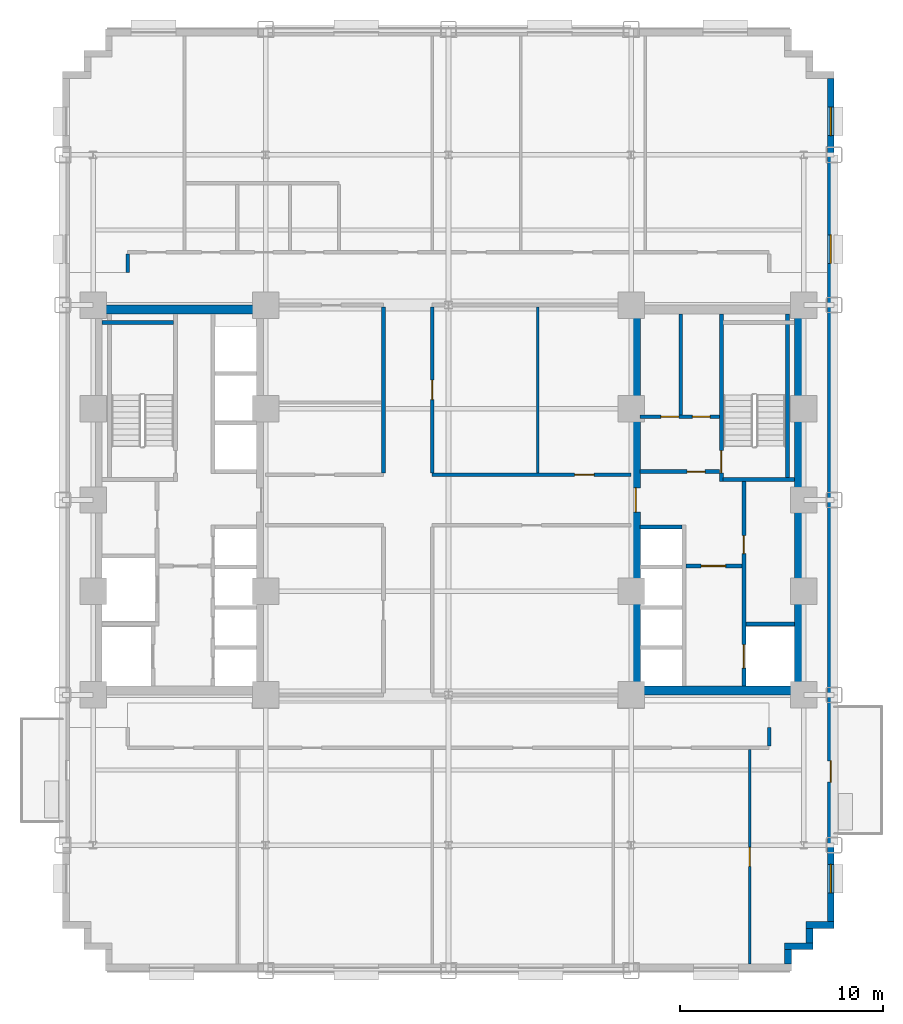
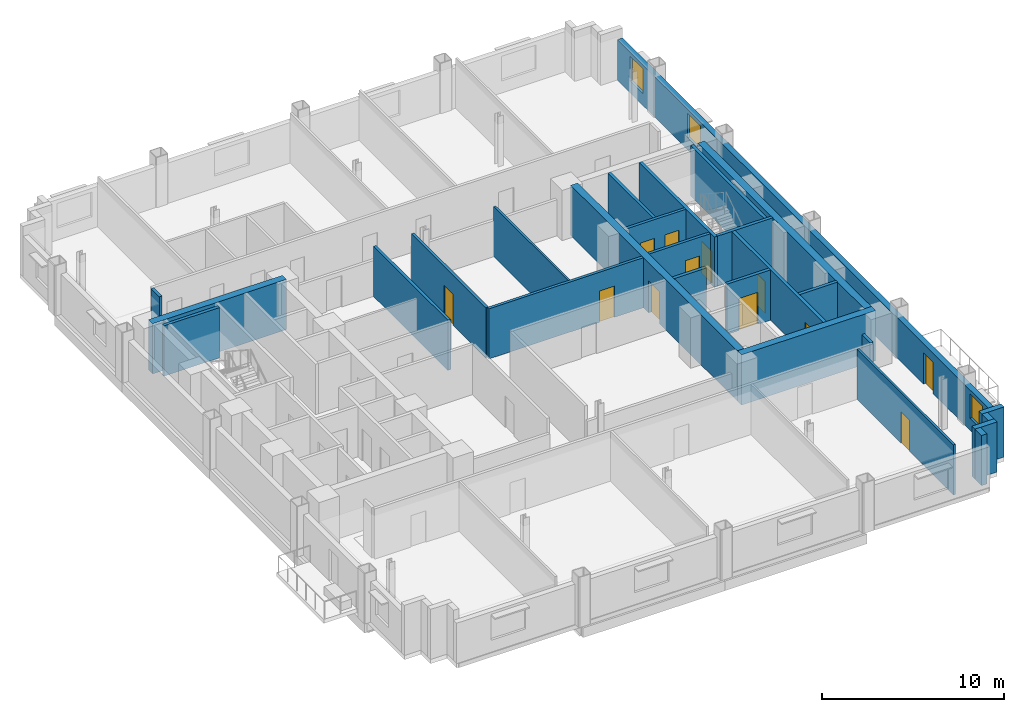
# One storey, part 6 of 12: 27 walls, 12 doors, 3 windows, 15 openings.
"""IFC4 building model written with IfcOpenShell, lengths in metres."""

from ifc_helpers import new_model, si_unit, direction, frame, frame_2d, origin, place, context, subcontext, project, spatial, rectangle, extrude, source, transform, mapped, material, layer, layer_set, type_object, type_shapes, element, fill, save


model = new_model("IFC4")

# Units and contexts
model_context = context("Model", 3, precision=1e-05, world=origin(), true_north=direction((0.0, 1.0)))
body_context = subcontext(model_context, "Body", "Model", "MODEL_VIEW")
ifc_project = project(units=[si_unit("LENGTHUNIT", "METRE"), si_unit("AREAUNIT", "SQUARE_METRE"), si_unit("VOLUMEUNIT", "CUBIC_METRE"), si_unit("PLANEANGLEUNIT", "RADIAN"), si_unit("MASSUNIT", "GRAM", prefix="KILO")], contexts=[model_context])

# Site, building, storey
site_placement = place(None, origin())
site = spatial("IfcSite", under=ifc_project, at=site_placement, CompositionType="ELEMENT")
building_placement = place(site_placement, origin())
building = spatial("IfcBuilding", under=site, at=building_placement, Name="Nuvemarco Arch Tower", CompositionType="ELEMENT")
storey_placement = place(building_placement, frame((0.0, 0.0, 42.199951171875)))
storey = spatial("IfcBuildingStorey", under=building, at=storey_placement, Name="L10", CompositionType="ELEMENT", Elevation=42.199951171875)

# Walls
ifc_material_1 = material(Name="Precast concrete C45/55", Category="concrete")
ifc_layer_1 = layer(ifc_material_1, 0.340087890625, Name="EW-LOW-340")
ifc_layer_set_1 = layer_set([ifc_layer_1], Name="Precast concrete C45/55")
wall_type_1 = type_object("IfcWallType", Name="EW-LOW-340", PredefinedType="STANDARD", material=ifc_layer_set_1)
wall_1_placement = place(storey_placement, frame((16.72998046875, -22.864013671875, 0.0), z_axis=(0.0, 0.0, 1.0), x_axis=(0.0, 1.0, 0.0)))
element("IfcWall", 1, at=wall_1_placement, inside=storey, type_object=wall_type_1, Name="L10 exterior precast facade wall 2", PredefinedType="STANDARD", context=body_context, shape_type="SweptSolid", body=[
    extrude(rectangle(XDim=0.718017578125, YDim=0.340087890625, at=frame_2d((0.35888671875, 0.0))), origin(), (0.0, 0.0, 1.0), 3.360107421875),
])
wall_2_placement = place(storey_placement, frame((16.56005859375, -21.97998046875, 0.0), z_axis=(0.0, 0.0, 1.0), x_axis=(1.0, 0.0, 0.0)))
element("IfcWall", 2, at=wall_2_placement, inside=storey, type_object=wall_type_1, Name="L10 exterior precast facade wall 3", PredefinedType="STANDARD", context=body_context, shape_type="SweptSolid", body=[
    extrude(rectangle(XDim=1.389892578125, YDim=0.340087890625, at=frame_2d((0.69482421875, 0.0))), origin(), (0.0, 0.0, 1.0), 3.360107421875),
])
wall_3_placement = place(storey_placement, frame((17.780029296875, -21.81396484375, 0.0), z_axis=(0.0, 0.0, 1.0), x_axis=(0.0, 1.0, 0.0)))
element("IfcWall", 3, at=wall_3_placement, inside=storey, type_object=wall_type_1, Name="L10 exterior precast facade wall 4", PredefinedType="STANDARD", context=body_context, shape_type="SweptSolid", body=[
    extrude(rectangle(XDim=0.718017578125, YDim=0.340087890625, at=frame_2d((0.35888671875, 0.0))), origin(), (0.0, 0.0, 1.0), 3.360107421875),
])
wall_4_placement = place(storey_placement, frame((17.610107421875, -20.929931640625, 0.0), z_axis=(0.0, 0.0, 1.0), x_axis=(1.0, 0.0, 0.0)))
element("IfcWall", 4, at=wall_4_placement, inside=storey, type_object=wall_type_1, Name="L10 exterior precast facade wall 5", PredefinedType="STANDARD", context=body_context, shape_type="SweptSolid", body=[
    extrude(rectangle(XDim=1.389892578125, YDim=0.340087890625, at=frame_2d((0.69482421875, 0.0))), origin(), (0.0, 0.0, 1.0), 3.360107421875),
])

# Wall, openings, door, windows
wall_5_placement = place(storey_placement, frame((18.830078125, -20.763916015625, 0.0), z_axis=(0.0, 0.0, 1.0), x_axis=(0.0, 1.0, 0.0)))
wall_5 = element("IfcWall", 5, at=wall_5_placement, inside=storey, type_object=wall_type_1, Name="L10 exterior precast facade wall 6", PredefinedType="STANDARD", context=body_context, shape_type="SweptSolid", body=[
    extrude(rectangle(XDim=41.52783203125, YDim=0.340087890625, at=frame_2d((20.763916015625, 0.0))), origin(), (0.0, 0.0, 1.0), 2.705078125),
])
opening_1_placement = place(wall_5_placement, frame((7.9140625, 0.0, 0.0), z_axis=(0.0, 0.0, 1.0), x_axis=(-1.0, 0.0, 0.0)))
opening_1 = element("IfcOpeningElement", 6, at=opening_1_placement, cuts=wall_5, Name="Opening ED-5", PredefinedType="OPENING", context=body_context, shape_type="SweptSolid", body=[
    extrude(rectangle(XDim=1.050048828125, YDim=2.10009765625, at=frame_2d((0.52490234375, 1.050048828125))), frame((0.0, 0.179931640625, 0.0), z_axis=(0.0, -1.0, 0.0), x_axis=(1.0, 0.0, 0.0)), (0.0, 0.0, 1.0), 0.360107421875),
])
opening_2_placement = place(wall_5_placement, frame((1.42041015625, 0.0, 0.800048828125)))
opening_2 = element("IfcOpeningElement", 7, at=opening_2_placement, cuts=wall_5, Name="Opening WN-4", PredefinedType="OPENING", context=body_context, shape_type="SweptSolid", body=[
    extrude(rectangle(XDim=1.39990234375, YDim=1.64990234375, at=frame_2d((0.699951171875, 0.824951171875))), frame((0.0, 0.179931640625, 0.0), z_axis=(0.0, -1.0, 0.0), x_axis=(1.0, 0.0, 0.0)), (0.0, 0.0, 1.0), 0.360107421875),
])
opening_3_placement = place(wall_5_placement, frame((32.41650390625, 0.0, 0.800048828125)))
opening_3 = element("IfcOpeningElement", 8, at=opening_3_placement, cuts=wall_5, Name="Opening WN-4", PredefinedType="OPENING", context=body_context, shape_type="SweptSolid", body=[
    extrude(rectangle(XDim=1.39990234375, YDim=1.64990234375, at=frame_2d((0.699951171875, 0.824951171875))), frame((0.0, 0.179931640625, 0.0), z_axis=(0.0, -1.0, 0.0), x_axis=(1.0, 0.0, 0.0)), (0.0, 0.0, 1.0), 0.360107421875),
])
opening_4_placement = place(wall_5_placement, frame((38.70751953125, 0.0, 0.800048828125)))
opening_4 = element("IfcOpeningElement", 9, at=opening_4_placement, cuts=wall_5, Name="Opening WN-4", PredefinedType="OPENING", context=body_context, shape_type="SweptSolid", body=[
    extrude(rectangle(XDim=1.39990234375, YDim=1.64990234375, at=frame_2d((0.699951171875, 0.824951171875))), frame((0.0, 0.179931640625, 0.0), z_axis=(0.0, -1.0, 0.0), x_axis=(1.0, 0.0, 0.0)), (0.0, 0.0, 1.0), 0.360107421875),
])
ifc_material_2 = material(Name="Anodised bronze and laminated glass", Category="glass")
door_type_1 = type_object("IfcDoorType", Name="DR-EXT-TERR", OperationType="NOTDEFINED", PredefinedType="DOOR", material=ifc_material_2)
shared_shape_1 = source(origin(), body_context, "Body", "SweptSolid", [
    extrude(rectangle(XDim=1.050048828125, YDim=2.10009765625, at=frame_2d((0.52490234375, 1.050048828125))), frame((0.0, 0.02490234375, 0.0), z_axis=(0.0, -1.0, 0.0), x_axis=(1.0, 0.0, 0.0)), (0.0, 0.0, 1.0), 0.050048828125),
])
type_shapes(door_type_1, [shared_shape_1])
door_1_placement = place(opening_1_placement, origin())
door_1 = element("IfcDoor", 10, at=door_1_placement, inside=storey, type_object=door_type_1, Name="L10 spiral terrace access door", OperationType="SINGLE_SWING_RIGHT", OverallHeight=2.10009765625, OverallWidth=1.050048828125, PredefinedType="DOOR", context=body_context, shape_type="MappedRepresentation", body=[
    mapped(shared_shape_1, transform((0.0, 0.0, 0.0), scale=1.0)),
])
fill(opening_1, door_1)
ifc_material_3 = material(Name="Insulated solar-control glass", Category="glass")
window_type = type_object("IfcWindowType", Name="WN-LOW-1400x1650", PartitioningType="SINGLE_PANEL", PredefinedType="WINDOW", material=ifc_material_3)
shared_shape_2 = source(origin(), body_context, "Body", "SweptSolid", [
    extrude(rectangle(XDim=1.39990234375, YDim=1.64990234375, at=frame_2d((0.699951171875, 0.824951171875))), frame((0.0, 0.030029296875, 0.0), z_axis=(0.0, -1.0, 0.0), x_axis=(1.0, 0.0, 0.0)), (0.0, 0.0, 1.0), 0.06005859375),
])
type_shapes(window_type, [shared_shape_2])
window_1_placement = place(opening_2_placement, origin())
window_1 = element("IfcWindow", 11, at=window_1_placement, inside=storey, type_object=window_type, Name="L10 punched facade window 1", OverallHeight=1.64990234375, OverallWidth=1.39990234375, PartitioningType="SINGLE_PANEL", PredefinedType="WINDOW", context=body_context, shape_type="MappedRepresentation", body=[
    mapped(shared_shape_2, transform((0.0, 0.0, 0.0), scale=1.0)),
])
fill(opening_2, window_1)
window_2_placement = place(opening_3_placement, origin())
window_2 = element("IfcWindow", 12, at=window_2_placement, inside=storey, type_object=window_type, Name="L10 punched facade window 7", OverallHeight=1.64990234375, OverallWidth=1.39990234375, PartitioningType="SINGLE_PANEL", PredefinedType="WINDOW", context=body_context, shape_type="MappedRepresentation", body=[
    mapped(shared_shape_2, transform((0.0, 0.0, 0.0), scale=1.0)),
])
fill(opening_3, window_2)
window_3_placement = place(opening_4_placement, origin())
window_3 = element("IfcWindow", 13, at=window_3_placement, inside=storey, type_object=window_type, Name="L10 punched facade window 8", OverallHeight=1.64990234375, OverallWidth=1.39990234375, PartitioningType="SINGLE_PANEL", PredefinedType="WINDOW", context=body_context, shape_type="MappedRepresentation", body=[
    mapped(shared_shape_2, transform((0.0, 0.0, 0.0), scale=1.0)),
])
fill(opening_4, window_3)

# Walls
ifc_material_4 = material(Name="Concrete C60/75", Category="concrete")
ifc_layer_2 = layer(ifc_material_4, 0.449951171875, Name="WL-CORE-450")
ifc_layer_set_2 = layer_set([ifc_layer_2], Name="Concrete C60/75")
wall_type_2 = type_object("IfcWallType", Name="WL-CORE-450", PredefinedType="SHEAR", material=ifc_layer_set_2)
for number, where, z_axis, x_axis, name in (
    (14, (-17.5, 9.375, 0.0), (0.0, 0.0, 1.0), (1.0, 0.0, 0.0), "L10 W-core shear wall N"),
    (15, (9.0, -9.375, 0.0), (0.0, 0.0, 1.0), (1.0, 0.0, 0.0), "L10 E-core shear wall S"),
):
    element("IfcWall", number, at=place(storey_placement, frame(where, z_axis=z_axis, x_axis=x_axis)), inside=storey, type_object=wall_type_2, Name=name, PredefinedType="SHEAR", context=body_context, shape_type="SweptSolid", body=[
        extrude(rectangle(XDim=8.5, YDim=0.449951171875, at=frame_2d((4.25, 0.0))), origin(), (0.0, 0.0, 1.0), 3.3701171875),
    ])

# Wall, opening, door
wall_6_placement = place(storey_placement, frame((9.22509765625, -9.155029296875, 0.0), z_axis=(0.0, 0.0, 1.0), x_axis=(0.0, 1.0, 0.0)))
wall_6 = element("IfcWall", 16, at=wall_6_placement, inside=storey, type_object=wall_type_2, Name="L10 E-core shear wall W", PredefinedType="SHEAR", context=body_context, shape_type="SweptSolid", body=[
    extrude(rectangle(XDim=18.31005859375, YDim=0.449951171875, at=frame_2d((9.155029296875, 0.0))), origin(), (0.0, 0.0, 1.0), 3.3701171875),
])
opening_5_placement = place(wall_6_placement, frame((8.554931640625, 0.0, 0.0)))
opening_5 = element("IfcOpeningElement", 17, at=opening_5_placement, cuts=wall_6, Name="Opening FD-2", PredefinedType="OPENING", context=body_context, shape_type="SweptSolid", body=[
    extrude(rectangle(XDim=1.199951171875, YDim=2.14990234375, at=frame_2d((0.60009765625, 1.074951171875))), frame((0.0, 0.23486328125, 0.0), z_axis=(0.0, -1.0, 0.0), x_axis=(1.0, 0.0, 0.0)), (0.0, 0.0, 1.0), 0.469970703125),
])
ifc_material_5 = material(Name="Anodised steel fire door", Category="steel")
door_type_2 = type_object("IfcDoorType", Name="DR-FFLOB-FD", OperationType="NOTDEFINED", PredefinedType="DOOR", material=ifc_material_5)
shared_shape_3 = source(origin(), body_context, "Body", "SweptSolid", [
    extrude(rectangle(XDim=1.199951171875, YDim=2.14990234375, at=frame_2d((0.60009765625, 1.074951171875))), frame((0.0, 0.02490234375, 0.0), z_axis=(0.0, -1.0, 0.0), x_axis=(1.0, 0.0, 0.0)), (0.0, 0.0, 1.0), 0.050048828125),
])
type_shapes(door_type_2, [shared_shape_3])
door_2_placement = place(opening_5_placement, origin())
door_2 = element("IfcDoor", 18, at=door_2_placement, inside=storey, type_object=door_type_2, Name="L10 door FD-L10-ECORE-W", OperationType="SINGLE_SWING_LEFT", OverallHeight=2.14990234375, OverallWidth=1.199951171875, PredefinedType="DOOR", context=body_context, shape_type="MappedRepresentation", body=[
    mapped(shared_shape_3, transform((0.0, 0.0, 0.0), scale=1.0)),
])
fill(opening_5, door_2)

# Wall
wall_7_placement = place(storey_placement, frame((17.27490234375, -9.155029296875, 0.0), z_axis=(0.0, 0.0, 1.0), x_axis=(0.0, 1.0, 0.0)))
element("IfcWall", 19, at=wall_7_placement, inside=storey, type_object=wall_type_2, Name="L10 E-core shear wall E", PredefinedType="SHEAR", context=body_context, shape_type="SweptSolid", body=[
    extrude(rectangle(XDim=18.31005859375, YDim=0.449951171875, at=frame_2d((9.155029296875, 0.0))), origin(), (0.0, 0.0, 1.0), 3.3701171875),
])

# Wall, opening, door
ifc_material_6 = material(Name="Fire-rated gypsum drywall partition")
ifc_layer_3 = layer(ifc_material_6, 0.179931640625, Name="WL-CORR-180")
ifc_layer_set_3 = layer_set([ifc_layer_3], Name="Fire-rated gypsum drywall partition")
wall_type_3 = type_object("IfcWallType", Name="WL-CORR-180", PredefinedType="PARTITIONING", material=ifc_layer_set_3)
wall_8_placement = place(storey_placement, frame((9.445068359375, 1.39990234375, 0.0), z_axis=(0.0, 0.0, 1.0), x_axis=(1.0, 0.0, 0.0)))
wall_8 = element("IfcWall", 20, at=wall_8_placement, inside=storey, type_object=wall_type_3, Name="L10 interior wall IW-L10-EK-S", PredefinedType="PARTITIONING", context=body_context, shape_type="SweptSolid", body=[
    extrude(rectangle(XDim=3.89990234375, YDim=0.179931640625, at=frame_2d((1.949951171875, 0.0))), origin(), (0.0, 0.0, 1.0), 3.360107421875),
])
opening_6_placement = place(wall_8_placement, frame((2.31494140625, 0.0, 0.0)))
opening_6 = element("IfcOpeningElement", 21, at=opening_6_placement, cuts=wall_8, Name="Opening FD-4", PredefinedType="OPENING", context=body_context, shape_type="SweptSolid", body=[
    extrude(rectangle(XDim=0.8798828125, YDim=2.10009765625, at=frame_2d((0.43994140625, 1.050048828125))), frame((0.0, 0.099853515625, 0.0), z_axis=(0.0, -1.0, 0.0), x_axis=(1.0, 0.0, 0.0)), (0.0, 0.0, 1.0), 0.199951171875),
])
door_type_3 = type_object("IfcDoorType", Name="DR-RISER-FD", OperationType="NOTDEFINED", PredefinedType="DOOR", material=ifc_material_5)
shared_shape_4 = source(origin(), body_context, "Body", "SweptSolid", [
    extrude(rectangle(XDim=0.8798828125, YDim=2.10009765625, at=frame_2d((0.43994140625, 1.050048828125))), frame((0.0, 0.02490234375, 0.0), z_axis=(0.0, -1.0, 0.0), x_axis=(1.0, 0.0, 0.0)), (0.0, 0.0, 1.0), 0.050048828125),
])
type_shapes(door_type_3, [shared_shape_4])
door_3_placement = place(opening_6_placement, origin())
door_3 = element("IfcDoor", 22, at=door_3_placement, inside=storey, type_object=door_type_3, Name="L10 door FD-L10-EK3A", OperationType="SINGLE_SWING_RIGHT", OverallHeight=2.10009765625, OverallWidth=0.8798828125, PredefinedType="DOOR", context=body_context, shape_type="MappedRepresentation", body=[
    mapped(shared_shape_4, transform((0.0, 0.0, 0.0), scale=1.0)),
])
fill(opening_6, door_3)

# Wall, openings, doors
wall_9_placement = place(storey_placement, frame((9.445068359375, 4.10009765625, 0.0), z_axis=(0.0, 0.0, 1.0), x_axis=(1.0, 0.0, 0.0)))
wall_9 = element("IfcWall", 23, at=wall_9_placement, inside=storey, type_object=wall_type_3, Name="L10 interior wall IW-L10-EK3H", PredefinedType="PARTITIONING", context=body_context, shape_type="SweptSolid", body=[
    extrude(rectangle(XDim=3.89990234375, YDim=0.179931640625, at=frame_2d((1.949951171875, 0.0))), origin(), (0.0, 0.0, 1.0), 3.360107421875),
])
opening_7_placement = place(wall_9_placement, frame((1.02001953125, 0.0, 0.0)))
opening_7 = element("IfcOpeningElement", 24, at=opening_7_placement, cuts=wall_9, Name="Opening FD-4", PredefinedType="OPENING", context=body_context, shape_type="SweptSolid", body=[
    extrude(rectangle(XDim=0.8798828125, YDim=2.10009765625, at=frame_2d((0.43994140625, 1.050048828125))), frame((0.0, 0.099853515625, 0.0), z_axis=(0.0, -1.0, 0.0), x_axis=(1.0, 0.0, 0.0)), (0.0, 0.0, 1.0), 0.199951171875),
])
opening_8_placement = place(wall_9_placement, frame((2.56494140625, 0.0, 0.0)))
opening_8 = element("IfcOpeningElement", 25, at=opening_8_placement, cuts=wall_9, Name="Opening FD-4", PredefinedType="OPENING", context=body_context, shape_type="SweptSolid", body=[
    extrude(rectangle(XDim=0.8798828125, YDim=2.10009765625, at=frame_2d((0.43994140625, 1.050048828125))), frame((0.0, 0.099853515625, 0.0), z_axis=(0.0, -1.0, 0.0), x_axis=(1.0, 0.0, 0.0)), (0.0, 0.0, 1.0), 0.199951171875),
])
door_4_placement = place(opening_7_placement, origin())
door_4 = element("IfcDoor", 26, at=door_4_placement, inside=storey, type_object=door_type_3, Name="L10 door FD-L10-EK3B", OperationType="SINGLE_SWING_LEFT", OverallHeight=2.10009765625, OverallWidth=0.8798828125, PredefinedType="DOOR", context=body_context, shape_type="MappedRepresentation", body=[
    mapped(shared_shape_4, transform((0.0, 0.0, 0.0), scale=1.0)),
])
fill(opening_7, door_4)
door_5_placement = place(opening_8_placement, origin())
door_5 = element("IfcDoor", 27, at=door_5_placement, inside=storey, type_object=door_type_3, Name="L10 door FD-L10-EK3C", OperationType="SINGLE_SWING_RIGHT", OverallHeight=2.10009765625, OverallWidth=0.8798828125, PredefinedType="DOOR", context=body_context, shape_type="MappedRepresentation", body=[
    mapped(shared_shape_4, transform((0.0, 0.0, 0.0), scale=1.0)),
])
fill(opening_8, door_5)

# Wall
wall_10_placement = place(storey_placement, frame((11.449951171875, 4.18994140625, 0.0), z_axis=(0.0, 0.0, 1.0), x_axis=(0.0, 1.0, 0.0)))
element("IfcWall", 28, at=wall_10_placement, inside=storey, type_object=wall_type_3, Name="L10 interior wall IW-L10-EK3V", PredefinedType="PARTITIONING", context=body_context, shape_type="SweptSolid", body=[
    extrude(rectangle(XDim=4.965087890625, YDim=0.179931640625, at=frame_2d((2.482421875, 0.0))), origin(), (0.0, 0.0, 1.0), 3.360107421875),
])

# Wall, opening, door
wall_11_placement = place(storey_placement, frame((-0.800048828125, 1.25, 0.0), z_axis=(0.0, 0.0, 1.0), x_axis=(1.0, 0.0, 0.0)))
wall_11 = element("IfcWall", 29, at=wall_11_placement, inside=storey, type_object=wall_type_3, Name="L10 interior wall IW-L10-008", PredefinedType="PARTITIONING", context=body_context, shape_type="SweptSolid", body=[
    extrude(rectangle(XDim=9.800048828125, YDim=0.179931640625, at=frame_2d((4.89990234375, 0.0))), origin(), (0.0, 0.0, 1.0), 3.360107421875),
])
opening_9_placement = place(wall_11_placement, frame((7.02001953125, 0.0, 0.0)))
opening_9 = element("IfcOpeningElement", 30, at=opening_9_placement, cuts=wall_11, Name="Opening FD-5", PredefinedType="OPENING", context=body_context, shape_type="SweptSolid", body=[
    extrude(rectangle(XDim=0.9599609375, YDim=2.10009765625, at=frame_2d((0.47998046875, 1.050048828125))), frame((0.0, 0.099853515625, 0.0), z_axis=(0.0, -1.0, 0.0), x_axis=(1.0, 0.0, 0.0)), (0.0, 0.0, 1.0), 0.199951171875),
])
ifc_material_7 = material(Name="Timber fire door", Category="wood")
door_type_4 = type_object("IfcDoorType", Name="DR-CORR-FD", OperationType="NOTDEFINED", PredefinedType="DOOR", material=ifc_material_7)
shared_shape_5 = source(origin(), body_context, "Body", "SweptSolid", [
    extrude(rectangle(XDim=0.9599609375, YDim=2.10009765625, at=frame_2d((0.47998046875, 1.050048828125))), frame((0.0, 0.02490234375, 0.0), z_axis=(0.0, -1.0, 0.0), x_axis=(1.0, 0.0, 0.0)), (0.0, 0.0, 1.0), 0.050048828125),
])
type_shapes(door_type_4, [shared_shape_5])
door_6_placement = place(opening_9_placement, origin())
door_6 = element("IfcDoor", 31, at=door_6_placement, inside=storey, type_object=door_type_4, Name="L10 door DR-L10-C_NE2", OperationType="SINGLE_SWING_RIGHT", OverallHeight=2.10009765625, OverallWidth=0.9599609375, PredefinedType="DOOR", context=body_context, shape_type="MappedRepresentation", body=[
    mapped(shared_shape_5, transform((0.0, 0.0, 0.0), scale=1.0)),
])
fill(opening_9, door_6)

# Walls
wall_12_placement = place(storey_placement, frame((-15.800048828125, 11.199951171875, 0.0), z_axis=(0.0, 0.0, 1.0), x_axis=(0.0, 1.0, 0.0)))
element("IfcWall", 32, at=wall_12_placement, inside=storey, type_object=wall_type_3, Name="L10 interior wall IW-L10-016", PredefinedType="PARTITIONING", context=body_context, shape_type="SweptSolid", body=[
    extrude(rectangle(XDim=0.9140625, YDim=0.179931640625, at=frame_2d((0.45703125, 0.0))), origin(), (0.0, 0.0, 1.0), 3.360107421875),
])
wall_13_placement = place(storey_placement, frame((-3.199951171875, 1.3359375, 0.0), z_axis=(0.0, 0.0, 1.0), x_axis=(0.0, 1.0, 0.0)))
element("IfcWall", 33, at=wall_13_placement, inside=storey, type_object=wall_type_3, Name="L10 interior wall IW-L10-023", PredefinedType="PARTITIONING", context=body_context, shape_type="SweptSolid", body=[
    extrude(rectangle(XDim=8.177978515625, YDim=0.179931640625, at=frame_2d((4.0888671875, 0.0))), origin(), (0.0, 0.0, 1.0), 3.360107421875),
])

# Wall, opening, door
wall_14_placement = place(storey_placement, frame((-0.800048828125, 1.3359375, 0.0), z_axis=(0.0, 0.0, 1.0), x_axis=(0.0, 1.0, 0.0)))
wall_14 = element("IfcWall", 34, at=wall_14_placement, inside=storey, type_object=wall_type_3, Name="L10 interior wall IW-L10-026", PredefinedType="PARTITIONING", context=body_context, shape_type="SweptSolid", body=[
    extrude(rectangle(XDim=8.177978515625, YDim=0.179931640625, at=frame_2d((4.0888671875, 0.0))), origin(), (0.0, 0.0, 1.0), 3.360107421875),
])
opening_10_placement = place(wall_14_placement, frame((3.60888671875, 0.0, 0.0)))
opening_10 = element("IfcOpeningElement", 35, at=opening_10_placement, cuts=wall_14, Name="Opening FD-5", PredefinedType="OPENING", context=body_context, shape_type="SweptSolid", body=[
    extrude(rectangle(XDim=0.9599609375, YDim=2.10009765625, at=frame_2d((0.47998046875, 1.050048828125))), frame((0.0, 0.099853515625, 0.0), z_axis=(0.0, -1.0, 0.0), x_axis=(1.0, 0.0, 0.0)), (0.0, 0.0, 1.0), 0.199951171875),
])
door_7_placement = place(opening_10_placement, origin())
door_7 = element("IfcDoor", 36, at=door_7_placement, inside=storey, type_object=door_type_4, Name="L10 door DR-L10-C_NE1", OperationType="SINGLE_SWING_RIGHT", OverallHeight=2.10009765625, OverallWidth=0.9599609375, PredefinedType="DOOR", context=body_context, shape_type="MappedRepresentation", body=[
    mapped(shared_shape_5, transform((0.0, 0.0, 0.0), scale=1.0)),
])
fill(opening_10, door_7)

# Walls
wall_15_placement = place(storey_placement, frame((15.800048828125, -12.114013671875, 0.0), z_axis=(0.0, 0.0, 1.0), x_axis=(0.0, 1.0, 0.0)))
element("IfcWall", 37, at=wall_15_placement, inside=storey, type_object=wall_type_3, Name="L10 interior wall IW-L10-033", PredefinedType="PARTITIONING", context=body_context, shape_type="SweptSolid", body=[
    extrude(rectangle(XDim=0.9140625, YDim=0.179931640625, at=frame_2d((0.45703125, 0.0))), origin(), (0.0, 0.0, 1.0), 3.360107421875),
])
ifc_material_8 = material(Name="Glazed acoustic office partition")
ifc_layer_4 = layer(ifc_material_8, 0.1298828125, Name="WL-EXEC-130")
ifc_layer_set_4 = layer_set([ifc_layer_4], Name="Glazed acoustic office partition")
wall_type_4 = type_object("IfcWallType", Name="WL-EXEC-130", PredefinedType="PARTITIONING", material=ifc_layer_set_4)
wall_16_placement = place(storey_placement, frame((4.39990234375, 1.3359375, 0.0), z_axis=(0.0, 0.0, 1.0), x_axis=(0.0, 1.0, 0.0)))
element("IfcWall", 38, at=wall_16_placement, inside=storey, type_object=wall_type_4, Name="L10 interior wall IW-L10-029", PredefinedType="PARTITIONING", context=body_context, shape_type="SweptSolid", body=[
    extrude(rectangle(XDim=8.177978515625, YDim=0.1298828125, at=frame_2d((4.0888671875, 0.0))), origin(), (0.0, 0.0, 1.0), 3.360107421875),
])

# Wall, opening, door
wall_17_placement = place(storey_placement, frame((14.840087890625, -22.860107421875, 0.0), z_axis=(0.0, 0.0, 1.0), x_axis=(0.0, 1.0, 0.0)))
wall_17 = element("IfcWall", 39, at=wall_17_placement, inside=storey, type_object=wall_type_4, Name="L10 interior wall IW-L10-032", PredefinedType="PARTITIONING", context=body_context, shape_type="SweptSolid", body=[
    extrude(rectangle(XDim=10.57421875, YDim=0.1298828125, at=frame_2d((5.287109375, 0.0))), origin(), (0.0, 0.0, 1.0), 3.360107421875),
])
opening_11_placement = place(wall_17_placement, frame((4.81689453125, 0.0, 0.0)))
opening_11 = element("IfcOpeningElement", 40, at=opening_11_placement, cuts=wall_17, Name="Opening ID-1", PredefinedType="OPENING", context=body_context, shape_type="SweptSolid", body=[
    extrude(rectangle(XDim=0.93994140625, YDim=2.10009765625, at=frame_2d((0.469970703125, 1.050048828125))), frame((0.0, 0.074951171875, 0.0), z_axis=(0.0, -1.0, 0.0), x_axis=(1.0, 0.0, 0.0)), (0.0, 0.0, 1.0), 0.14990234375),
])
ifc_material_9 = material(Name="Veneered oak timber door", Category="wood")
door_type_5 = type_object("IfcDoorType", Name="DR-OFFICE-1", OperationType="NOTDEFINED", PredefinedType="DOOR", material=ifc_material_9)
shared_shape_6 = source(origin(), body_context, "Body", "SweptSolid", [
    extrude(rectangle(XDim=0.93994140625, YDim=2.10009765625, at=frame_2d((0.469970703125, 1.050048828125))), frame((0.0, 0.02490234375, 0.0), z_axis=(0.0, -1.0, 0.0), x_axis=(1.0, 0.0, 0.0)), (0.0, 0.0, 1.0), 0.050048828125),
])
type_shapes(door_type_5, [shared_shape_6])
door_8_placement = place(opening_11_placement, origin())
door_8 = element("IfcDoor", 41, at=door_8_placement, inside=storey, type_object=door_type_5, Name="L10 door DR-L10-S_5", OperationType="SINGLE_SWING_LEFT", OverallHeight=2.10009765625, OverallWidth=0.93994140625, PredefinedType="DOOR", context=body_context, shape_type="MappedRepresentation", body=[
    mapped(shared_shape_6, transform((0.0, 0.0, 0.0), scale=1.0)),
])
fill(opening_11, door_8)

# Wall
ifc_material_10 = material(Name="Concrete C50/60", Category="concrete")
ifc_layer_5 = layer(ifc_material_10, 0.199951171875, Name="WL-SHAFT-220")
ifc_layer_set_5 = layer_set([ifc_layer_5], Name="Concrete C50/60")
wall_type_5 = type_object("IfcWallType", Name="WL-SHAFT-220", PredefinedType="SHEAR", material=ifc_layer_set_5)
wall_18_placement = place(storey_placement, frame((-17.054931640625, 8.75, 0.0), z_axis=(0.0, 0.0, 1.0), x_axis=(1.0, 0.0, 0.0)))
element("IfcWall", 42, at=wall_18_placement, inside=storey, type_object=wall_type_5, Name="L10 structural shaft wall SW-L10-W-ST1N", PredefinedType="SHEAR", context=body_context, shape_type="SweptSolid", body=[
    extrude(rectangle(XDim=3.52001953125, YDim=0.199951171875, at=frame_2d((1.760009765625, 0.0))), origin(), (0.0, 0.0, 1.0), 3.3701171875),
])

# Wall, opening, door
wall_19_placement = place(storey_placement, frame((13.43994140625, 0.89990234375, 0.0), z_axis=(0.0, 0.0, 1.0), x_axis=(0.0, 1.0, 0.0)))
wall_19 = element("IfcWall", 43, at=wall_19_placement, inside=storey, type_object=wall_type_5, Name="L10 structural shaft wall SW-L10-E-ST2W", PredefinedType="SHEAR", context=body_context, shape_type="SweptSolid", body=[
    extrude(rectangle(XDim=8.255126953125, YDim=0.199951171875, at=frame_2d((4.12744140625, 0.0))), origin(), (0.0, 0.0, 1.0), 3.3701171875),
])
opening_12_placement = place(wall_19_placement, frame((0.429931640625, 0.0, 0.0)))
opening_12 = element("IfcOpeningElement", 44, at=opening_12_placement, cuts=wall_19, Name="Opening FD-1", PredefinedType="OPENING", context=body_context, shape_type="SweptSolid", body=[
    extrude(rectangle(XDim=1.10009765625, YDim=2.14990234375, at=frame_2d((0.550048828125, 1.074951171875))), frame((0.0, 0.10986328125, 0.0), z_axis=(0.0, -1.0, 0.0), x_axis=(1.0, 0.0, 0.0)), (0.0, 0.0, 1.0), 0.219970703125),
])
door_type_6 = type_object("IfcDoorType", Name="DR-STAIR-FD", OperationType="NOTDEFINED", PredefinedType="DOOR", material=ifc_material_5)
shared_shape_7 = source(origin(), body_context, "Body", "SweptSolid", [
    extrude(rectangle(XDim=1.10009765625, YDim=2.14990234375, at=frame_2d((0.550048828125, 1.074951171875))), frame((0.0, 0.02490234375, 0.0), z_axis=(0.0, -1.0, 0.0), x_axis=(1.0, 0.0, 0.0)), (0.0, 0.0, 1.0), 0.050048828125),
])
type_shapes(door_type_6, [shared_shape_7])
door_9_placement = place(opening_12_placement, origin())
door_9 = element("IfcDoor", 45, at=door_9_placement, inside=storey, type_object=door_type_6, Name="L10 door FD-L10-ST2", OperationType="SINGLE_SWING_LEFT", OverallHeight=2.14990234375, OverallWidth=1.10009765625, PredefinedType="DOOR", context=body_context, shape_type="MappedRepresentation", body=[
    mapped(shared_shape_7, transform((0.0, 0.0, 0.0), scale=1.0)),
])
fill(opening_12, door_9)

# Walls
wall_20_placement = place(storey_placement, frame((13.534912109375, 1.0, 0.0), z_axis=(0.0, 0.0, 1.0), x_axis=(1.0, 0.0, 0.0)))
element("IfcWall", 46, at=wall_20_placement, inside=storey, type_object=wall_type_5, Name="L10 structural shaft wall SW-L10-E-ST2S", PredefinedType="SHEAR", context=body_context, shape_type="SweptSolid", body=[
    extrude(rectangle(XDim=3.52001953125, YDim=0.199951171875, at=frame_2d((1.760009765625, 0.0))), origin(), (0.0, 0.0, 1.0), 3.3701171875),
])
wall_21_placement = place(storey_placement, frame((16.699951171875, 1.094970703125, 0.0), z_axis=(0.0, 0.0, 1.0), x_axis=(0.0, 1.0, 0.0)))
element("IfcWall", 47, at=wall_21_placement, inside=storey, type_object=wall_type_5, Name="L10 structural shaft wall SW-L10-E-ST2E", PredefinedType="SHEAR", context=body_context, shape_type="SweptSolid", body=[
    extrude(rectangle(XDim=8.06005859375, YDim=0.199951171875, at=frame_2d((4.030029296875, 0.0))), origin(), (0.0, 0.0, 1.0), 3.3701171875),
])

# Wall, openings, doors
wall_22_placement = place(storey_placement, frame((14.550048828125, -9.155029296875, 0.0), z_axis=(0.0, 0.0, 1.0), x_axis=(0.0, 1.0, 0.0)))
wall_22 = element("IfcWall", 48, at=wall_22_placement, inside=storey, type_object=wall_type_5, Name="L10 structural shaft wall SW-L10-E-SHW", PredefinedType="SHEAR", context=body_context, shape_type="SweptSolid", body=[
    extrude(rectangle(XDim=10.06005859375, YDim=0.199951171875, at=frame_2d((5.030029296875, 0.0))), origin(), (0.0, 0.0, 1.0), 3.3701171875),
])
opening_13_placement = place(wall_22_placement, frame((6.514892578125, 0.0, 0.0)))
opening_13 = element("IfcOpeningElement", 49, at=opening_13_placement, cuts=wall_22, Name="Opening FD-4", PredefinedType="OPENING", context=body_context, shape_type="SweptSolid", body=[
    extrude(rectangle(XDim=0.8798828125, YDim=2.10009765625, at=frame_2d((0.43994140625, 1.050048828125))), frame((0.0, 0.10986328125, 0.0), z_axis=(0.0, -1.0, 0.0), x_axis=(1.0, 0.0, 0.0)), (0.0, 0.0, 1.0), 0.219970703125),
])
opening_14_placement = place(wall_22_placement, frame((0.8798828125, 0.0, 0.0)))
opening_14 = element("IfcOpeningElement", 50, at=opening_14_placement, cuts=wall_22, Name="Opening LD-2", PredefinedType="OPENING", context=body_context, shape_type="SweptSolid", body=[
    extrude(rectangle(XDim=1.14990234375, YDim=2.14990234375, at=frame_2d((0.574951171875, 1.074951171875))), frame((0.0, 0.10986328125, 0.0), z_axis=(0.0, -1.0, 0.0), x_axis=(1.0, 0.0, 0.0)), (0.0, 0.0, 1.0), 0.219970703125),
])
door_10_placement = place(opening_13_placement, origin())
door_10 = element("IfcDoor", 51, at=door_10_placement, inside=storey, type_object=door_type_3, Name="L10 door FD-L10-ERIS", OperationType="SINGLE_SWING_LEFT", OverallHeight=2.10009765625, OverallWidth=0.8798828125, PredefinedType="DOOR", context=body_context, shape_type="MappedRepresentation", body=[
    mapped(shared_shape_4, transform((0.0, 0.0, 0.0), scale=1.0)),
])
fill(opening_13, door_10)
ifc_material_11 = material(Name="Stainless steel lift door", Category="steel")
door_type_7 = type_object("IfcDoorType", Name="DR-LIFT-FIRE", OperationType="DOUBLE_DOOR_SLIDING", PredefinedType="DOOR", material=ifc_material_11)
shared_shape_8 = source(origin(), body_context, "Body", "SweptSolid", [
    extrude(rectangle(XDim=1.14990234375, YDim=2.14990234375, at=frame_2d((0.574951171875, 1.074951171875))), frame((0.0, 0.02490234375, 0.0), z_axis=(0.0, -1.0, 0.0), x_axis=(1.0, 0.0, 0.0)), (0.0, 0.0, 1.0), 0.050048828125),
])
type_shapes(door_type_7, [shared_shape_8])
door_11_placement = place(opening_14_placement, origin())
door_11 = element("IfcDoor", 52, at=door_11_placement, inside=storey, type_object=door_type_7, Name="L10 Lift landing sliding door FFL-2", OperationType="DOUBLE_DOOR_SLIDING", OverallHeight=2.14990234375, OverallWidth=1.14990234375, PredefinedType="DOOR", context=body_context, shape_type="MappedRepresentation", body=[
    mapped(shared_shape_8, transform((0.0, 0.0, 0.0), scale=1.0)),
])
fill(opening_14, door_11)

# Wall
wall_23_placement = place(storey_placement, frame((14.64501953125, -6.10009765625, 0.0), z_axis=(0.0, 0.0, 1.0), x_axis=(1.0, 0.0, 0.0)))
element("IfcWall", 53, at=wall_23_placement, inside=storey, type_object=wall_type_5, Name="L10 structural shaft wall SW-L10-E-SH1", PredefinedType="SHEAR", context=body_context, shape_type="SweptSolid", body=[
    extrude(rectangle(XDim=2.409912109375, YDim=0.199951171875, at=frame_2d((1.205078125, 0.0))), origin(), (0.0, 0.0, 1.0), 3.3701171875),
])

# Wall, opening, door
wall_24_placement = place(storey_placement, frame((11.695068359375, -3.25, 0.0), z_axis=(0.0, 0.0, 1.0), x_axis=(1.0, 0.0, 0.0)))
wall_24 = element("IfcWall", 54, at=wall_24_placement, inside=storey, type_object=wall_type_5, Name="L10 structural shaft wall SW-L10-E-FFN", PredefinedType="SHEAR", context=body_context, shape_type="SweptSolid", body=[
    extrude(rectangle(XDim=2.760009765625, YDim=0.199951171875, at=frame_2d((1.3798828125, 0.0))), origin(), (0.0, 0.0, 1.0), 3.3701171875),
])
opening_15_placement = place(wall_24_placement, frame((0.7548828125, 0.0, 0.0)))
opening_15 = element("IfcOpeningElement", 55, at=opening_15_placement, cuts=wall_24, Name="Opening FD-2", PredefinedType="OPENING", context=body_context, shape_type="SweptSolid", body=[
    extrude(rectangle(XDim=1.199951171875, YDim=2.14990234375, at=frame_2d((0.60009765625, 1.074951171875))), frame((0.0, 0.10986328125, 0.0), z_axis=(0.0, -1.0, 0.0), x_axis=(1.0, 0.0, 0.0)), (0.0, 0.0, 1.0), 0.219970703125),
])
door_12_placement = place(opening_15_placement, origin())
door_12 = element("IfcDoor", 56, at=door_12_placement, inside=storey, type_object=door_type_2, Name="L10 door FD-L10-EFF2", OperationType="SINGLE_SWING_LEFT", OverallHeight=2.14990234375, OverallWidth=1.199951171875, PredefinedType="DOOR", context=body_context, shape_type="MappedRepresentation", body=[
    mapped(shared_shape_3, transform((0.0, 0.0, 0.0), scale=1.0)),
])
fill(opening_15, door_12)

# Wall
wall_25_placement = place(storey_placement, frame((9.445068359375, -1.330078125, 0.0), z_axis=(0.0, 0.0, 1.0), x_axis=(1.0, 0.0, 0.0)))
element("IfcWall", 57, at=wall_25_placement, inside=storey, type_object=wall_type_5, Name="L10 structural shaft wall SW-L10-E-PMD4", PredefinedType="SHEAR", context=body_context, shape_type="SweptSolid", body=[
    extrude(rectangle(XDim=2.059814453125, YDim=0.199951171875, at=frame_2d((1.02978515625, 0.0))), origin(), (0.0, 0.0, 1.0), 3.3701171875),
])

save(model, "model.ifc")
